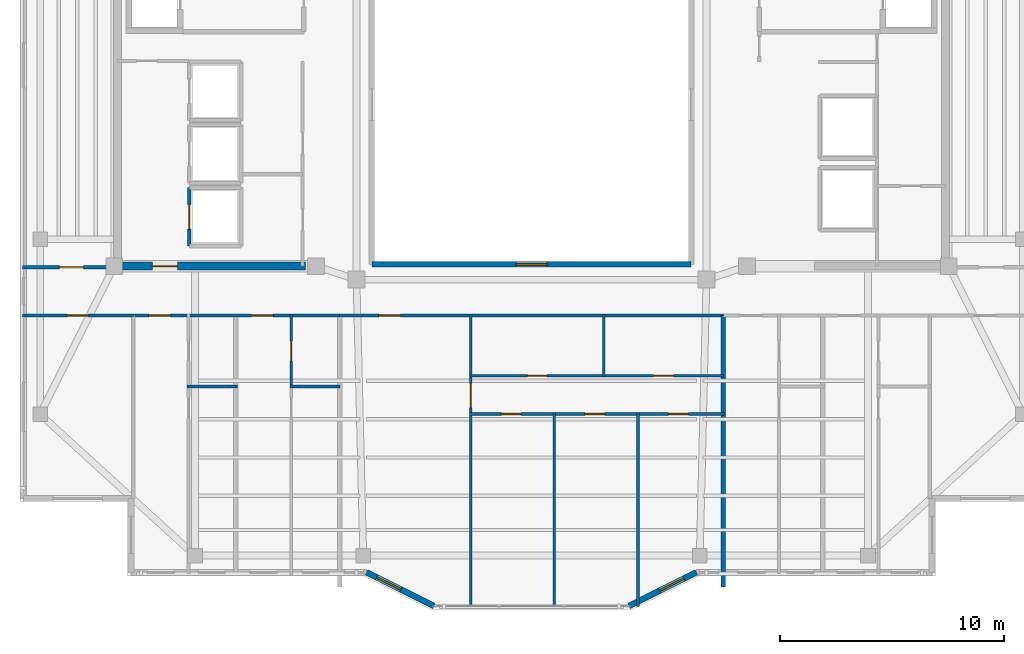
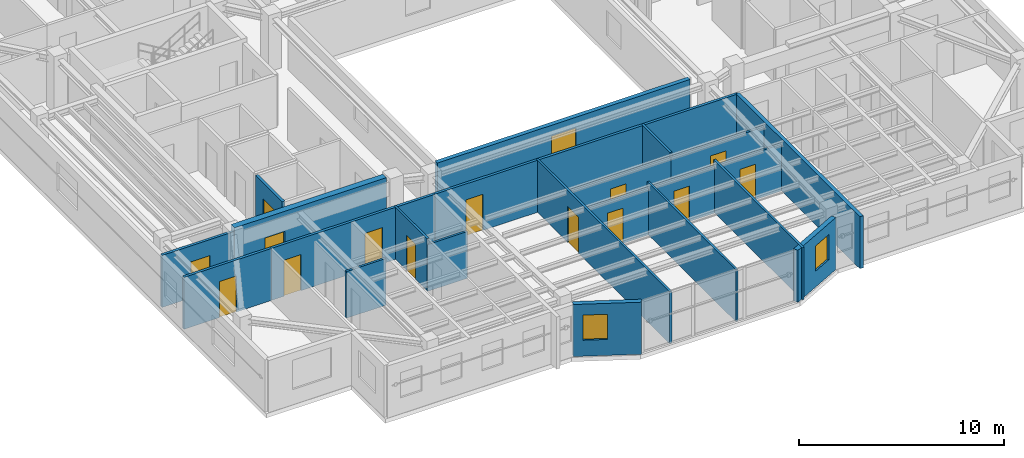
# One storey, part 6 of 14: 20 walls, 14 doors, 3 windows, 17 openings.
"""IFC4 building model written with IfcOpenShell, lengths in metres."""

import ifcopenshell
import ifcopenshell.guid

model = None  # the IFC model being written
_history = None  # IfcOwnerHistory: only IFC2X3 demands one
_inside = {}  # id of a spatial element -> (the spatial element, [elements in it])
_under = {}  # id of a project, library or spatial element -> (it, [spatial elements below it])
_declared = {}  # id of a project -> (the project, [libraries it declares])
_typed = {}  # id of a type object -> (the type object, [elements of that type])
_made_of = {}  # id of a material, layer set ... -> (it, [elements and type objects made of it])


def new_model(schema):
    """Start an empty IFC model of exactly this schema.

    Asked for "IFC4X3", IfcOpenShell would pick the latest addendum, in which some entities
    have other attributes; the version numbers below select the first issue.
    IFC2X3 requires an IfcOwnerHistory on every rooted entity: one is made here for all.
    """
    global model, _history
    if schema == "IFC4X3":
        model = ifcopenshell.file(schema_version=(4, 3, 0, 0))
    else:
        model = ifcopenshell.file(schema=schema)
    _inside.clear()
    _under.clear()
    _declared.clear()
    _typed.clear()
    _made_of.clear()
    _history = None
    if model.schema == "IFC2X3":
        org = make("IfcOrganization", Name="unknown")
        user = make(
            "IfcPersonAndOrganization",
            ThePerson=make("IfcPerson", FamilyName="unknown"),
            TheOrganization=org,
        )
        app = make(
            "IfcApplication",
            ApplicationDeveloper=org,
            Version="unknown",
            ApplicationFullName="unknown",
            ApplicationIdentifier="unknown",
        )
        _history = make(
            "IfcOwnerHistory",
            OwningUser=user,
            OwningApplication=app,
            ChangeAction="ADDED",
            CreationDate=0,
        )
    return model


def make(cls, **values):
    """One entity of the class cls with the attributes given. An attribute that is None is left unset."""
    return model.create_entity(
        cls, **{name: value for name, value in values.items() if value is not None}
    )


def rooted(cls, **values):
    """An entity with a GlobalId (a new one), such as an element, a storey or a relation."""
    return make(cls, GlobalId=ifcopenshell.guid.new(), OwnerHistory=_history, **values)


def si_unit(unit_type, name, prefix=None):
    """IfcSIUnit, for example si_unit("LENGTHUNIT", "METRE", prefix="MILLI")."""
    return make("IfcSIUnit", UnitType=unit_type, Prefix=prefix, Name=name)


def assignment(units):
    """IfcUnitAssignment: the units of a project."""
    return None if units is None else make("IfcUnitAssignment", Units=units)


def point(xyz):
    """IfcCartesianPoint."""
    return None if xyz is None else make("IfcCartesianPoint", Coordinates=xyz)


def direction(xyz):
    """IfcDirection."""
    return None if xyz is None else make("IfcDirection", DirectionRatios=xyz)


def frame(location, z_axis=None, x_axis=None):
    """IfcAxis2Placement3D, a coordinate frame: its origin and axes. An axis left out is left unset."""
    return make(
        "IfcAxis2Placement3D",
        Location=point(location),
        Axis=direction(z_axis),
        RefDirection=direction(x_axis),
    )


def frame_2d(location, x_axis=None):
    """IfcAxis2Placement2D, a coordinate frame in the plane: its origin and x axis."""
    return make(
        "IfcAxis2Placement2D", Location=point(location), RefDirection=direction(x_axis)
    )


def origin():
    """The frame at (0, 0, 0) with its axes left unset."""
    return frame((0.0, 0.0, 0.0))


def place(relative_to, where):
    """IfcLocalPlacement: puts the frame where relative to a parent placement (None: the world)."""
    return make(
        "IfcLocalPlacement", PlacementRelTo=relative_to, RelativePlacement=where
    )


def context(
    kind, dimensions, precision=None, world=None, true_north=None, identifier=None
):
    """IfcGeometricRepresentationContext, for example the 3D "Model" context."""
    return make(
        "IfcGeometricRepresentationContext",
        ContextIdentifier=identifier,
        ContextType=kind,
        CoordinateSpaceDimension=dimensions,
        Precision=precision,
        WorldCoordinateSystem=world,
        TrueNorth=true_north,
    )


def subcontext(parent, identifier, kind, view, scale=None):
    """IfcGeometricRepresentationSubContext, for example "Body" below "Model"."""
    return make(
        "IfcGeometricRepresentationSubContext",
        ContextIdentifier=identifier,
        ContextType=kind,
        ParentContext=parent,
        TargetScale=scale,
        TargetView=view,
    )


def project(units=None, contexts=None):
    """IfcProject with its units and contexts."""
    return rooted(
        "IfcProject",
        Name="project",
        RepresentationContexts=contexts,
        UnitsInContext=assignment(units),
    )


def spatial(cls, under=None, at=None, **own):
    """A site, building, storey or space (cls), placed at a placement, below another one or the project."""
    s = rooted(cls, ObjectPlacement=at, **own)
    if under is not None:
        _under.setdefault(under.id(), (under, []))[1].append(s)
    return s


def profile(cls, at=None, kind="AREA", **sizes):
    """A parametric profile (cls). Its sizes go by their IFC names, for example OverallWidth=200.0."""
    return make(cls, ProfileType=kind, Position=at, **sizes)


def rectangle(**sizes):
    """IfcRectangleProfileDef."""
    return profile("IfcRectangleProfileDef", **sizes)


def extrude(swept, where, along, depth):
    """IfcExtrudedAreaSolid: the profile swept, set in the frame where, extruded along a direction by depth."""
    return make(
        "IfcExtrudedAreaSolid",
        SweptArea=swept,
        Position=where,
        ExtrudedDirection=direction(along),
        Depth=depth,
    )


def shape(context_of_items, identifier, shape_type, items):
    """IfcShapeRepresentation: the items that make up one representation, for example the "Body"."""
    return make(
        "IfcShapeRepresentation",
        ContextOfItems=context_of_items,
        RepresentationIdentifier=identifier,
        RepresentationType=shape_type,
        Items=items,
    )


def material(Name=None, Category=None):
    """IfcMaterial."""
    return make("IfcMaterial", Name=Name, Category=Category)


def layer(
    of_material, thickness, ventilated=None, Name=None, Category=None, Priority=None
):
    """IfcMaterialLayer: one layer of a wall or slab, of a material (None: an air gap)."""
    return make(
        "IfcMaterialLayer",
        Material=of_material,
        LayerThickness=thickness,
        IsVentilated=ventilated,
        Name=Name,
        Category=Category,
        Priority=Priority,
    )


def layer_set(layers, Name=None):
    """IfcMaterialLayerSet."""
    return make("IfcMaterialLayerSet", MaterialLayers=layers, LayerSetName=Name)


def made_of(thing, what):
    """Note that an element or type object is made of a material, layer set ...; save() writes the relation."""
    if what is not None:
        _made_of.setdefault(what.id(), (what, []))[1].append(thing)
    return thing


def type_object(cls, material=None, **own):
    """A type object (cls), such as IfcWallType, which elements share."""
    return made_of(rooted(cls, **own), material)


def element(
    cls,
    number,
    at=None,
    inside=None,
    cuts=None,
    type_object=None,
    material=None,
    context=None,
    identifier="Body",
    shape_type=None,
    held_by="IfcProductDefinitionShape",
    body=None,
    shapes=None,
    **own,
):
    """One element of the class cls, such as IfcWall. Its Tag is "e" and its number.

    at: its placement. inside: the storey or other place that contains it. cuts: it is an
    opening in that element (IfcRelVoidsElement). A single representation is given by context,
    identifier, shape_type and body (its items); several are given by shapes. held_by: the class
    of the entity that holds the representations. save() writes the other relations.
    """
    e = rooted(cls, Tag="e%d" % number, ObjectPlacement=at, **own)
    if body is not None:
        shapes = [shape(context, identifier, shape_type, body)]
    if shapes is not None:
        e.Representation = make(held_by, Representations=shapes)
    if inside is not None:
        _inside.setdefault(inside.id(), (inside, []))[1].append(e)
    if cuts is not None:
        rooted(
            "IfcRelVoidsElement", RelatingBuildingElement=cuts, RelatedOpeningElement=e
        )
    if type_object is not None:
        _typed.setdefault(type_object.id(), (type_object, []))[1].append(e)
    return made_of(e, material)


def fill(opening, filler):
    """IfcRelFillsElement: the door or window that sits in an opening."""
    return rooted(
        "IfcRelFillsElement",
        RelatingOpeningElement=opening,
        RelatedBuildingElement=filler,
    )


def aggregate(whole, parts):
    """IfcRelAggregates: a whole, such as a stair, and the parts it consists of."""
    return rooted("IfcRelAggregates", RelatingObject=whole, RelatedObjects=parts)


def save(model, path):
    """Write the relations noted so far, then the file.

    IfcRelAggregates (storeys below a building ...), IfcRelContainedInSpatialStructure (elements
    in a storey), IfcRelDefinesByType, IfcRelAssociatesMaterial and IfcRelDeclares: one each for
    every whole, place, type object, material and project.
    """
    for whole, parts in _under.values():
        aggregate(whole, parts)
    for where, things in _inside.values():
        rooted(
            "IfcRelContainedInSpatialStructure",
            RelatedElements=things,
            RelatingStructure=where,
        )
    for kind, things in _typed.values():
        rooted("IfcRelDefinesByType", RelatedObjects=things, RelatingType=kind)
    for what, things in _made_of.values():
        rooted("IfcRelAssociatesMaterial", RelatedObjects=things, RelatingMaterial=what)
    for by, libraries in _declared.values():
        rooted("IfcRelDeclares", RelatingContext=by, RelatedDefinitions=libraries)
    model.write(path)


model = new_model("IFC4")

# Units and contexts
model_context = context("Model", 3, precision=1e-05, world=origin(), true_north=direction((0.0, 1.0)))
body_context = subcontext(model_context, "Body", "Model", "MODEL_VIEW")
ifc_project = project(units=[si_unit("LENGTHUNIT", "METRE"), si_unit("AREAUNIT", "SQUARE_METRE"), si_unit("VOLUMEUNIT", "CUBIC_METRE"), si_unit("PLANEANGLEUNIT", "RADIAN"), si_unit("MASSUNIT", "GRAM", prefix="KILO")], contexts=[model_context])

# Site, building, storey
site_placement = place(None, origin())
site = spatial("IfcSite", under=ifc_project, at=site_placement, CompositionType="ELEMENT")
building_placement = place(site_placement, origin())
building = spatial("IfcBuilding", under=site, at=building_placement, Name="Tarnavaz Court Tower", CompositionType="ELEMENT")
storey_placement = place(building_placement, frame((0.0, 0.0, 264.949951171875)))
storey = spatial("IfcBuildingStorey", under=building, at=storey_placement, Name="L72", CompositionType="ELEMENT", Elevation=264.949951171875)

# Wall, opening, door
ifc_material_1 = material(Name="Concrete C50/60", Category="concrete")
ifc_layer_1 = layer(ifc_material_1, 0.35009765625)
ifc_layer_set_1 = layer_set([ifc_layer_1], Name="Concrete C50/60")
wall_type_1 = type_object("IfcWallType", Name="WL-CORE-350-C50", PredefinedType="SHEAR", material=ifc_layer_set_1)
wall_1_placement = place(storey_placement, frame((-18.625, -7.199951171875, 0.0), z_axis=(0.0, 0.0, 1.0), x_axis=(1.0, 0.0, 0.0)))
wall_1 = element("IfcWall", 1, at=wall_1_placement, inside=storey, type_object=wall_type_1, Name="L72 West Core South Shear Wall 046", PredefinedType="SHEAR", context=body_context, shape_type="SweptSolid", body=[
    extrude(rectangle(XDim=8.550048828125, YDim=0.35009765625, at=frame_2d((4.27490234375, 0.0))), origin(), (0.0, 0.0, 1.0), 3.35009765625),
])
opening_1_placement = place(wall_1_placement, frame((1.72509765625, 0.0, 0.0)))
opening_1 = element("IfcOpeningElement", 2, at=opening_1_placement, cuts=wall_1, Name="Opening D04", PredefinedType="OPENING", context=body_context, shape_type="SweptSolid", body=[
    extrude(rectangle(XDim=1.1201171875, YDim=2.14990234375, at=frame_2d((0.56005859375, 1.074951171875))), frame((0.0, 0.18505859375, 0.0), z_axis=(0.0, -1.0, 0.0), x_axis=(1.0, 0.0, 0.0)), (0.0, 0.0, 1.0), 0.3701171875),
])
ifc_material_2 = material(Name="Fire-Rated Hardwood Timber Core", Category="wood")
door_type_1 = type_object("IfcDoorType", Name="DR-FD60-1100", OperationType="NOTDEFINED", PredefinedType="DOOR", material=ifc_material_2)
door_1_placement = place(opening_1_placement, origin())
door_1 = element("IfcDoor", 3, at=door_1_placement, inside=storey, type_object=door_type_1, Name="L72 West High-Rise Lift Lobby Door", OperationType="SINGLE_SWING_LEFT", OverallHeight=2.14990234375, OverallWidth=1.1201171875, PredefinedType="DOOR", context=body_context, shape_type="SweptSolid", body=[
    extrude(rectangle(XDim=1.1201171875, YDim=2.14990234375, at=frame_2d((0.56005859375, 1.074951171875))), frame((0.0, 0.02490234375, 0.0), z_axis=(0.0, -1.0, 0.0), x_axis=(1.0, 0.0, 0.0)), (0.0, 0.0, 1.0), 0.050048828125),
])
fill(opening_1, door_1)

# Wall, opening, window
ifc_material_3 = material(Name="Precast Concrete C40/50", Category="concrete")
ifc_layer_2 = layer(ifc_material_3, 0.260009765625)
ifc_layer_set_2 = layer_set([ifc_layer_2], Name="Precast Concrete C40/50")
wall_type_2 = type_object("IfcWallType", Name="WL-EXT-260", PredefinedType="SOLIDWALL", material=ifc_layer_set_2)
wall_2_placement = place(storey_placement, frame((7.35009765625, -20.85009765625, 0.0), z_axis=(0.0, 0.0, 1.0), x_axis=(-0.894427191, -0.4472135955, 0.0)))
wall_2 = element("IfcWall", 4, at=wall_2_placement, inside=storey, type_object=wall_type_2, Name="L72 Exterior Terracotta Facade Wall 16", PredefinedType="SOLIDWALL", context=body_context, shape_type="SweptSolid", body=[
    extrude(rectangle(XDim=3.35400390625, YDim=0.260009765625, at=frame_2d((1.677001953125, 0.0))), origin(), (0.0, 0.0, 1.0), 3.10009765625),
])
opening_2_placement = place(wall_2_placement, frame((0.62158203125, 0.0, 0.949951171875)))
opening_2 = element("IfcOpeningElement", 5, at=opening_2_placement, cuts=wall_2, Name="Opening W05", PredefinedType="OPENING", context=body_context, shape_type="SweptSolid", body=[
    extrude(rectangle(XDim=1.199951171875, YDim=1.5, at=frame_2d((0.60009765625, 0.75))), frame((0.0, 0.139892578125, 0.0), z_axis=(0.0, -1.0, 0.0), x_axis=(1.0, 0.0, 0.0)), (0.0, 0.0, 1.0), 0.280029296875),
])
ifc_material_4 = material(Name="Double-Glazed Solar Low-E Glass", Category="glass")
window_type_1 = type_object("IfcWindowType", Name="WN-APT-1200", PartitioningType="SINGLE_PANEL", PredefinedType="WINDOW", material=ifc_material_4)
window_1_placement = place(opening_2_placement, origin())
window_1 = element("IfcWindow", 6, at=window_1_placement, inside=storey, type_object=window_type_1, Name="L72 Flat 10 Bedroom 3 Window", OverallHeight=1.5, OverallWidth=1.199951171875, PartitioningType="SINGLE_PANEL", PredefinedType="WINDOW", context=body_context, shape_type="SweptSolid", body=[
    extrude(rectangle(XDim=1.199951171875, YDim=1.5, at=frame_2d((0.60009765625, 0.75))), frame((0.0, 0.030029296875, 0.0), z_axis=(0.0, -1.0, 0.0), x_axis=(1.0, 0.0, 0.0)), (0.0, 0.0, 1.0), 0.06005859375),
])
fill(opening_2, window_1)

wall_3_placement = place(storey_placement, frame((-4.35009765625, -22.35009765625, 0.0), z_axis=(0.0, 0.0, 1.0), x_axis=(-0.894427191, 0.4472135955, 0.0)))
wall_3 = element("IfcWall", 7, at=wall_3_placement, inside=storey, type_object=wall_type_2, Name="L72 Exterior Terracotta Facade Wall 18", PredefinedType="SOLIDWALL", context=body_context, shape_type="SweptSolid", body=[
    extrude(rectangle(XDim=3.35400390625, YDim=0.260009765625, at=frame_2d((1.677001953125, 0.0))), origin(), (0.0, 0.0, 1.0), 3.10009765625),
])
opening_3_placement = place(wall_3_placement, frame((1.65283203125, 0.0, 0.949951171875)))
opening_3 = element("IfcOpeningElement", 8, at=opening_3_placement, cuts=wall_3, Name="Opening W05", PredefinedType="OPENING", context=body_context, shape_type="SweptSolid", body=[
    extrude(rectangle(XDim=1.199951171875, YDim=1.5, at=frame_2d((0.60009765625, 0.75))), frame((0.0, 0.139892578125, 0.0), z_axis=(0.0, -1.0, 0.0), x_axis=(1.0, 0.0, 0.0)), (0.0, 0.0, 1.0), 0.280029296875),
])
window_2_placement = place(opening_3_placement, origin())
window_2 = element("IfcWindow", 9, at=window_2_placement, inside=storey, type_object=window_type_1, Name="L72 Flat 10 Living and Dining Room Window", OverallHeight=1.5, OverallWidth=1.199951171875, PartitioningType="SINGLE_PANEL", PredefinedType="WINDOW", context=body_context, shape_type="SweptSolid", body=[
    extrude(rectangle(XDim=1.199951171875, YDim=1.5, at=frame_2d((0.60009765625, 0.75))), frame((0.0, 0.030029296875, 0.0), z_axis=(0.0, -1.0, 0.0), x_axis=(1.0, 0.0, 0.0)), (0.0, 0.0, 1.0), 0.06005859375),
])
fill(opening_3, window_2)

# Wall, openings, doors
ifc_material_5 = material(Name="Gypsum Fire-Board on Acoustic Metal Stud", Category="masonry")
ifc_layer_3 = layer(ifc_material_5, 0.14990234375)
ifc_layer_set_3 = layer_set([ifc_layer_3], Name="Gypsum Fire-Board on Acoustic Metal Stud")
wall_type_3 = type_object("IfcWallType", Name="WL-FIRE-150", PredefinedType="PARTITIONING", material=ifc_layer_set_3)
wall_4_placement = place(storey_placement, frame((-17.75, -9.39990234375, 0.0), z_axis=(0.0, 0.0, 1.0), x_axis=(1.0, 0.0, 0.0)))
wall_4 = element("IfcWall", 10, at=wall_4_placement, inside=storey, type_object=wall_type_3, Name="L72 SW Lobby Wall 058", PredefinedType="PARTITIONING", context=body_context, shape_type="SweptSolid", body=[
    extrude(rectangle(XDim=9.199951171875, YDim=0.14990234375, at=frame_2d((4.60009765625, 0.0))), origin(), (0.0, 0.0, 1.0), 3.10009765625),
])
opening_4_placement = place(wall_4_placement, frame((0.699951171875, 0.0, 0.0)))
opening_4 = element("IfcOpeningElement", 11, at=opening_4_placement, cuts=wall_4, Name="Opening D06", PredefinedType="OPENING", context=body_context, shape_type="SweptSolid", body=[
    extrude(rectangle(XDim=0.9599609375, YDim=2.14990234375, at=frame_2d((0.47998046875, 1.074951171875))), frame((0.0, 0.0849609375, 0.0), z_axis=(0.0, -1.0, 0.0), x_axis=(1.0, 0.0, 0.0)), (0.0, 0.0, 1.0), 0.169921875),
])
opening_5_placement = place(wall_4_placement, frame((5.27490234375, 0.0, 0.0)))
opening_5 = element("IfcOpeningElement", 12, at=opening_5_placement, cuts=wall_4, Name="Opening D06", PredefinedType="OPENING", context=body_context, shape_type="SweptSolid", body=[
    extrude(rectangle(XDim=0.9599609375, YDim=2.14990234375, at=frame_2d((0.47998046875, 1.074951171875))), frame((0.0, 0.0849609375, 0.0), z_axis=(0.0, -1.0, 0.0), x_axis=(1.0, 0.0, 0.0)), (0.0, 0.0, 1.0), 0.169921875),
])
door_type_2 = type_object("IfcDoorType", Name="DR-FD60-950", OperationType="NOTDEFINED", PredefinedType="DOOR", material=ifc_material_2)
door_2_placement = place(opening_4_placement, origin())
door_2 = element("IfcDoor", 13, at=door_2_placement, inside=storey, type_object=door_type_2, Name="L72 Flat 06 Entrance Door", OperationType="SINGLE_SWING_LEFT", OverallHeight=2.14990234375, OverallWidth=0.9599609375, PredefinedType="DOOR", context=body_context, shape_type="SweptSolid", body=[
    extrude(rectangle(XDim=0.9599609375, YDim=2.14990234375, at=frame_2d((0.47998046875, 1.074951171875))), frame((0.0, 0.02490234375, 0.0), z_axis=(0.0, -1.0, 0.0), x_axis=(1.0, 0.0, 0.0)), (0.0, 0.0, 1.0), 0.050048828125),
])
fill(opening_4, door_2)
door_3_placement = place(opening_5_placement, origin())
door_3 = element("IfcDoor", 14, at=door_3_placement, inside=storey, type_object=door_type_2, Name="L72 Flat 07 Entrance Door", OperationType="SINGLE_SWING_RIGHT", OverallHeight=2.14990234375, OverallWidth=0.9599609375, PredefinedType="DOOR", context=body_context, shape_type="SweptSolid", body=[
    extrude(rectangle(XDim=0.9599609375, YDim=2.14990234375, at=frame_2d((0.47998046875, 1.074951171875))), frame((0.0, 0.02490234375, 0.0), z_axis=(0.0, -1.0, 0.0), x_axis=(1.0, 0.0, 0.0)), (0.0, 0.0, 1.0), 0.050048828125),
])
fill(opening_5, door_3)

# Wall, opening, door
wall_5_placement = place(storey_placement, frame((-8.550048828125, -9.39990234375, 0.0), z_axis=(0.0, 0.0, 1.0), x_axis=(1.0, 0.0, 0.0)))
wall_5 = element("IfcWall", 15, at=wall_5_placement, inside=storey, type_object=wall_type_3, Name="L72 Interior Partition 101", PredefinedType="PARTITIONING", context=body_context, shape_type="SweptSolid", body=[
    extrude(rectangle(XDim=17.10009765625, YDim=0.14990234375, at=frame_2d((8.550048828125, 0.0))), origin(), (0.0, 0.0, 1.0), 3.10009765625),
])
opening_6_placement = place(wall_5_placement, frame((1.75, 0.0, 0.0)))
opening_6 = element("IfcOpeningElement", 16, at=opening_6_placement, cuts=wall_5, Name="Opening D06", PredefinedType="OPENING", context=body_context, shape_type="SweptSolid", body=[
    extrude(rectangle(XDim=0.9599609375, YDim=2.14990234375, at=frame_2d((0.47998046875, 1.074951171875))), frame((0.0, 0.0849609375, 0.0), z_axis=(0.0, -1.0, 0.0), x_axis=(1.0, 0.0, 0.0)), (0.0, 0.0, 1.0), 0.169921875),
])
door_4_placement = place(opening_6_placement, origin())
door_4 = element("IfcDoor", 17, at=door_4_placement, inside=storey, type_object=door_type_2, Name="L72 Flat 10 Entrance Door", OperationType="SINGLE_SWING_LEFT", OverallHeight=2.14990234375, OverallWidth=0.9599609375, PredefinedType="DOOR", context=body_context, shape_type="SweptSolid", body=[
    extrude(rectangle(XDim=0.9599609375, YDim=2.14990234375, at=frame_2d((0.47998046875, 1.074951171875))), frame((0.0, 0.02490234375, 0.0), z_axis=(0.0, -1.0, 0.0), x_axis=(1.0, 0.0, 0.0)), (0.0, 0.0, 1.0), 0.050048828125),
])
fill(opening_6, door_4)

wall_6_placement = place(storey_placement, frame((-22.679931640625, -7.25, 0.0), z_axis=(0.0, 0.0, 1.0), x_axis=(1.0, 0.0, 0.0)))
wall_6 = element("IfcWall", 18, at=wall_6_placement, inside=storey, type_object=wall_type_3, Name="L72 Interior Partition 109", PredefinedType="PARTITIONING", context=body_context, shape_type="SweptSolid", body=[
    extrude(rectangle(XDim=4.22998046875, YDim=0.14990234375, at=frame_2d((2.114990234375, 0.0))), origin(), (0.0, 0.0, 1.0), 3.10009765625),
])
opening_7_placement = place(wall_6_placement, frame((1.6298828125, 0.0, 0.0)))
opening_7 = element("IfcOpeningElement", 19, at=opening_7_placement, cuts=wall_6, Name="Opening D12", PredefinedType="OPENING", context=body_context, shape_type="SweptSolid", body=[
    extrude(rectangle(XDim=1.080078125, YDim=2.14990234375, at=frame_2d((0.5400390625, 1.074951171875))), frame((0.0, 0.0849609375, 0.0), z_axis=(0.0, -1.0, 0.0), x_axis=(1.0, 0.0, 0.0)), (0.0, 0.0, 1.0), 0.169921875),
])
ifc_material_6 = material(Name="Engineered Oak Timber", Category="wood")
door_type_3 = type_object("IfcDoorType", Name="DR-INT-1100", OperationType="NOTDEFINED", PredefinedType="DOOR", material=ifc_material_6)
door_5_placement = place(opening_7_placement, origin())
door_5 = element("IfcDoor", 20, at=door_5_placement, inside=storey, type_object=door_type_3, Name="L72 West Study Gallery Door", OperationType="SINGLE_SWING_RIGHT", OverallHeight=2.14990234375, OverallWidth=1.080078125, PredefinedType="DOOR", context=body_context, shape_type="SweptSolid", body=[
    extrude(rectangle(XDim=1.080078125, YDim=2.14990234375, at=frame_2d((0.5400390625, 1.074951171875))), frame((0.0, 0.02490234375, 0.0), z_axis=(0.0, -1.0, 0.0), x_axis=(1.0, 0.0, 0.0)), (0.0, 0.0, 1.0), 0.050048828125),
])
fill(opening_7, door_5)

wall_7_placement = place(storey_placement, frame((-22.679931640625, -9.39990234375, 0.0), z_axis=(0.0, 0.0, 1.0), x_axis=(1.0, 0.0, 0.0)))
wall_7 = element("IfcWall", 21, at=wall_7_placement, inside=storey, type_object=wall_type_3, Name="L72 Interior Partition 119", PredefinedType="PARTITIONING", context=body_context, shape_type="SweptSolid", body=[
    extrude(rectangle(XDim=4.929931640625, YDim=0.14990234375, at=frame_2d((2.46484375, 0.0))), origin(), (0.0, 0.0, 1.0), 3.10009765625),
])
opening_8_placement = place(wall_7_placement, frame((1.989990234375, 0.0, 0.0)))
opening_8 = element("IfcOpeningElement", 22, at=opening_8_placement, cuts=wall_7, Name="Opening D13", PredefinedType="OPENING", context=body_context, shape_type="SweptSolid", body=[
    extrude(rectangle(XDim=0.949951171875, YDim=2.14990234375, at=frame_2d((0.47509765625, 1.074951171875))), frame((0.0, 0.0849609375, 0.0), z_axis=(0.0, -1.0, 0.0), x_axis=(1.0, 0.0, 0.0)), (0.0, 0.0, 1.0), 0.169921875),
])
door_type_4 = type_object("IfcDoorType", Name="DR-INT-950", OperationType="NOTDEFINED", PredefinedType="DOOR", material=ifc_material_6)
door_6_placement = place(opening_8_placement, origin())
door_6 = element("IfcDoor", 23, at=door_6_placement, inside=storey, type_object=door_type_4, Name="L72 SW Reading Room Door", OperationType="SINGLE_SWING_RIGHT", OverallHeight=2.14990234375, OverallWidth=0.949951171875, PredefinedType="DOOR", context=body_context, shape_type="SweptSolid", body=[
    extrude(rectangle(XDim=0.949951171875, YDim=2.14990234375, at=frame_2d((0.47509765625, 1.074951171875))), frame((0.0, 0.02490234375, 0.0), z_axis=(0.0, -1.0, 0.0), x_axis=(1.0, 0.0, 0.0)), (0.0, 0.0, 1.0), 0.050048828125),
])
fill(opening_8, door_6)

# Walls
ifc_material_7 = material(Name="Autoclaved Aerated Concrete Blockwork", Category="masonry")
ifc_layer_4 = layer(ifc_material_7, 0.199951171875)
ifc_layer_set_4 = layer_set([ifc_layer_4], Name="Autoclaved Aerated Concrete Blockwork")
wall_type_4 = type_object("IfcWallType", Name="WL-FIRE-200", PredefinedType="SOLIDWALL", material=ifc_layer_set_4)
wall_8_placement = place(storey_placement, frame((8.550048828125, -21.50390625, 0.0), z_axis=(0.0, 0.0, 1.0), x_axis=(0.0, 1.0, 0.0)))
element("IfcWall", 24, at=wall_8_placement, inside=storey, type_object=wall_type_4, Name="L72 Party Wall 100", PredefinedType="SOLIDWALL", context=body_context, shape_type="SweptSolid", body=[
    extrude(rectangle(XDim=12.10400390625, YDim=0.199951171875, at=frame_2d((6.052001953125, 0.0))), origin(), (0.0, 0.0, 1.0), 3.10009765625),
])
ifc_material_8 = material(Name="Moisture-Resistant Gypsum Board Partition", Category="masonry")
ifc_layer_5 = layer(ifc_material_8, 0.1201171875)
ifc_layer_set_5 = layer_set([ifc_layer_5], Name="Moisture-Resistant Gypsum Board Partition")
wall_type_5 = type_object("IfcWallType", Name="WL-PART-120", PredefinedType="PARTITIONING", material=ifc_layer_set_5)
wall_9_placement = place(storey_placement, frame((-15.35009765625, -12.56005859375, 0.0), z_axis=(0.0, 0.0, 1.0), x_axis=(1.0, 0.0, 0.0)))
element("IfcWall", 25, at=wall_9_placement, inside=storey, type_object=wall_type_5, Name="L72 Interior Partition 088", PredefinedType="PARTITIONING", context=body_context, shape_type="SweptSolid", body=[
    extrude(rectangle(XDim=2.235107421875, YDim=0.1201171875, at=frame_2d((1.11767578125, 0.0))), origin(), (0.0, 0.0, 1.0), 2.78515625),
])

# Wall, opening, door
wall_10_placement = place(storey_placement, frame((-10.715087890625, -12.56005859375, 0.0), z_axis=(0.0, 0.0, 1.0), x_axis=(0.0, 1.0, 0.0)))
wall_10 = element("IfcWall", 26, at=wall_10_placement, inside=storey, type_object=wall_type_5, Name="L72 Interior Partition 090", PredefinedType="PARTITIONING", context=body_context, shape_type="SweptSolid", body=[
    extrude(rectangle(XDim=3.219970703125, YDim=0.1201171875, at=frame_2d((1.60986328125, 0.0))), origin(), (0.0, 0.0, 1.0), 3.10009765625),
])
opening_9_placement = place(wall_10_placement, frame((1.139892578125, 0.0, 0.0)))
opening_9 = element("IfcOpeningElement", 27, at=opening_9_placement, cuts=wall_10, Name="Opening D14", PredefinedType="OPENING", context=body_context, shape_type="SweptSolid", body=[
    extrude(rectangle(XDim=0.8798828125, YDim=2.10009765625, at=frame_2d((0.43994140625, 1.050048828125))), frame((0.0, 0.070068359375, 0.0), z_axis=(0.0, -1.0, 0.0), x_axis=(1.0, 0.0, 0.0)), (0.0, 0.0, 1.0), 0.14013671875),
])
door_type_5 = type_object("IfcDoorType", Name="DR-INT-900", OperationType="NOTDEFINED", PredefinedType="DOOR", material=ifc_material_6)
door_7_placement = place(opening_9_placement, origin())
door_7 = element("IfcDoor", 28, at=door_7_placement, inside=storey, type_object=door_type_5, Name="L72 Flat 07 Bathroom Door", OperationType="SINGLE_SWING_RIGHT", OverallHeight=2.10009765625, OverallWidth=0.8798828125, PredefinedType="DOOR", context=body_context, shape_type="SweptSolid", body=[
    extrude(rectangle(XDim=0.8798828125, YDim=2.10009765625, at=frame_2d((0.43994140625, 1.050048828125))), frame((0.0, 0.02490234375, 0.0), z_axis=(0.0, -1.0, 0.0), x_axis=(1.0, 0.0, 0.0)), (0.0, 0.0, 1.0), 0.050048828125),
])
fill(opening_9, door_7)

# Wall
wall_11_placement = place(storey_placement, frame((-10.77490234375, -12.56005859375, 0.0), z_axis=(0.0, 0.0, 1.0), x_axis=(1.0, 0.0, 0.0)))
element("IfcWall", 29, at=wall_11_placement, inside=storey, type_object=wall_type_5, Name="L72 Interior Partition 091", PredefinedType="PARTITIONING", context=body_context, shape_type="SweptSolid", body=[
    extrude(rectangle(XDim=2.23486328125, YDim=0.1201171875, at=frame_2d((1.117431640625, 0.0))), origin(), (0.0, 0.0, 1.0), 2.78515625),
])

# Wall, opening, door
wall_12_placement = place(storey_placement, frame((-2.714111328125, -22.3798828125, 0.0), z_axis=(0.0, 0.0, 1.0), x_axis=(0.0, 1.0, 0.0)))
wall_12 = element("IfcWall", 30, at=wall_12_placement, inside=storey, type_object=wall_type_5, Name="L72 Interior Partition 102", PredefinedType="PARTITIONING", context=body_context, shape_type="SweptSolid", body=[
    extrude(rectangle(XDim=13.039794921875, YDim=0.1201171875, at=frame_2d((6.52001953125, 0.0))), origin(), (0.0, 0.0, 1.0), 3.10009765625),
])
opening_10_placement = place(wall_12_placement, frame((8.875, 0.0, 0.0)))
opening_10 = element("IfcOpeningElement", 31, at=opening_10_placement, cuts=wall_12, Name="Opening D12", PredefinedType="OPENING", context=body_context, shape_type="SweptSolid", body=[
    extrude(rectangle(XDim=1.080078125, YDim=2.14990234375, at=frame_2d((0.5400390625, 1.074951171875))), frame((0.0, 0.070068359375, 0.0), z_axis=(0.0, -1.0, 0.0), x_axis=(1.0, 0.0, 0.0)), (0.0, 0.0, 1.0), 0.14013671875),
])
door_8_placement = place(opening_10_placement, origin())
door_8 = element("IfcDoor", 32, at=door_8_placement, inside=storey, type_object=door_type_3, Name="L72 Flat 10 Foyer Door", OperationType="SINGLE_SWING_RIGHT", OverallHeight=2.14990234375, OverallWidth=1.080078125, PredefinedType="DOOR", context=body_context, shape_type="SweptSolid", body=[
    extrude(rectangle(XDim=1.080078125, YDim=2.14990234375, at=frame_2d((0.5400390625, 1.074951171875))), frame((0.0, 0.02490234375, 0.0), z_axis=(0.0, -1.0, 0.0), x_axis=(1.0, 0.0, 0.0)), (0.0, 0.0, 1.0), 0.050048828125),
])
fill(opening_10, door_8)

wall_13_placement = place(storey_placement, frame((-2.714111328125, -12.080078125, 0.0), z_axis=(0.0, 0.0, 1.0), x_axis=(1.0, 0.0, 0.0)))
wall_13 = element("IfcWall", 33, at=wall_13_placement, inside=storey, type_object=wall_type_5, Name="L72 Interior Partition 103", PredefinedType="PARTITIONING", context=body_context, shape_type="SweptSolid", body=[
    extrude(rectangle(XDim=5.93310546875, YDim=0.1201171875, at=frame_2d((2.966552734375, 0.0))), origin(), (0.0, 0.0, 1.0), 2.78515625),
])
opening_11_placement = place(wall_13_placement, frame((2.52587890625, 0.0, 0.0)))
opening_11 = element("IfcOpeningElement", 34, at=opening_11_placement, cuts=wall_13, Name="Opening D14", PredefinedType="OPENING", context=body_context, shape_type="SweptSolid", body=[
    extrude(rectangle(XDim=0.8798828125, YDim=2.10009765625, at=frame_2d((0.43994140625, 1.050048828125))), frame((0.0, 0.070068359375, 0.0), z_axis=(0.0, -1.0, 0.0), x_axis=(1.0, 0.0, 0.0)), (0.0, 0.0, 1.0), 0.14013671875),
])
door_9_placement = place(opening_11_placement, origin())
door_9 = element("IfcDoor", 35, at=door_9_placement, inside=storey, type_object=door_type_5, Name="L72 Flat 10 Kitchen Door", OperationType="SINGLE_SWING_LEFT", OverallHeight=2.10009765625, OverallWidth=0.8798828125, PredefinedType="DOOR", context=body_context, shape_type="SweptSolid", body=[
    extrude(rectangle(XDim=0.8798828125, YDim=2.10009765625, at=frame_2d((0.43994140625, 1.050048828125))), frame((0.0, 0.02490234375, 0.0), z_axis=(0.0, -1.0, 0.0), x_axis=(1.0, 0.0, 0.0)), (0.0, 0.0, 1.0), 0.050048828125),
])
fill(opening_11, door_9)

wall_14_placement = place(storey_placement, frame((3.218994140625, -12.080078125, 0.0), z_axis=(0.0, 0.0, 1.0), x_axis=(1.0, 0.0, 0.0)))
wall_14 = element("IfcWall", 36, at=wall_14_placement, inside=storey, type_object=wall_type_5, Name="L72 Interior Partition 104", PredefinedType="PARTITIONING", context=body_context, shape_type="SweptSolid", body=[
    extrude(rectangle(XDim=5.3310546875, YDim=0.1201171875, at=frame_2d((2.66552734375, 0.0))), origin(), (0.0, 0.0, 1.0), 2.78515625),
])
opening_12_placement = place(wall_14_placement, frame((2.22607421875, 0.0, 0.0)))
opening_12 = element("IfcOpeningElement", 37, at=opening_12_placement, cuts=wall_14, Name="Opening D14", PredefinedType="OPENING", context=body_context, shape_type="SweptSolid", body=[
    extrude(rectangle(XDim=0.8798828125, YDim=2.10009765625, at=frame_2d((0.43994140625, 1.050048828125))), frame((0.0, 0.070068359375, 0.0), z_axis=(0.0, -1.0, 0.0), x_axis=(1.0, 0.0, 0.0)), (0.0, 0.0, 1.0), 0.14013671875),
])
door_10_placement = place(opening_12_placement, origin())
door_10 = element("IfcDoor", 38, at=door_10_placement, inside=storey, type_object=door_type_5, Name="L72 Flat 10 Bathroom Door", OperationType="SINGLE_SWING_RIGHT", OverallHeight=2.10009765625, OverallWidth=0.8798828125, PredefinedType="DOOR", context=body_context, shape_type="SweptSolid", body=[
    extrude(rectangle(XDim=0.8798828125, YDim=2.10009765625, at=frame_2d((0.43994140625, 1.050048828125))), frame((0.0, 0.02490234375, 0.0), z_axis=(0.0, -1.0, 0.0), x_axis=(1.0, 0.0, 0.0)), (0.0, 0.0, 1.0), 0.050048828125),
])
fill(opening_12, door_10)

# Wall, openings, doors
wall_15_placement = place(storey_placement, frame((-2.77392578125, -13.7900390625, 0.0), z_axis=(0.0, 0.0, 1.0), x_axis=(1.0, 0.0, 0.0)))
wall_15 = element("IfcWall", 39, at=wall_15_placement, inside=storey, type_object=wall_type_5, Name="L72 Interior Partition 105", PredefinedType="PARTITIONING", context=body_context, shape_type="SweptSolid", body=[
    extrude(rectangle(XDim=11.384033203125, YDim=0.1201171875, at=frame_2d((5.69189453125, 0.0))), origin(), (0.0, 0.0, 1.0), 2.78515625),
])
opening_13_placement = place(wall_15_placement, frame((1.426025390625, 0.0, 0.0)))
opening_13 = element("IfcOpeningElement", 40, at=opening_13_placement, cuts=wall_15, Name="Opening D14", PredefinedType="OPENING", context=body_context, shape_type="SweptSolid", body=[
    extrude(rectangle(XDim=0.8798828125, YDim=2.10009765625, at=frame_2d((0.43994140625, 1.050048828125))), frame((0.0, 0.070068359375, 0.0), z_axis=(0.0, -1.0, 0.0), x_axis=(1.0, 0.0, 0.0)), (0.0, 0.0, 1.0), 0.14013671875),
])
opening_14_placement = place(wall_15_placement, frame((5.156982421875, 0.0, 0.0)))
opening_14 = element("IfcOpeningElement", 41, at=opening_14_placement, cuts=wall_15, Name="Opening D14", PredefinedType="OPENING", context=body_context, shape_type="SweptSolid", body=[
    extrude(rectangle(XDim=0.8798828125, YDim=2.10009765625, at=frame_2d((0.43994140625, 1.050048828125))), frame((0.0, 0.070068359375, 0.0), z_axis=(0.0, -1.0, 0.0), x_axis=(1.0, 0.0, 0.0)), (0.0, 0.0, 1.0), 0.14013671875),
])
opening_15_placement = place(wall_15_placement, frame((8.887939453125, 0.0, 0.0)))
opening_15 = element("IfcOpeningElement", 42, at=opening_15_placement, cuts=wall_15, Name="Opening D14", PredefinedType="OPENING", context=body_context, shape_type="SweptSolid", body=[
    extrude(rectangle(XDim=0.8798828125, YDim=2.10009765625, at=frame_2d((0.43994140625, 1.050048828125))), frame((0.0, 0.070068359375, 0.0), z_axis=(0.0, -1.0, 0.0), x_axis=(1.0, 0.0, 0.0)), (0.0, 0.0, 1.0), 0.14013671875),
])
door_11_placement = place(opening_13_placement, origin())
door_11 = element("IfcDoor", 43, at=door_11_placement, inside=storey, type_object=door_type_5, Name="L72 Flat 10 Bedroom 1 Door", OperationType="SINGLE_SWING_LEFT", OverallHeight=2.10009765625, OverallWidth=0.8798828125, PredefinedType="DOOR", context=body_context, shape_type="SweptSolid", body=[
    extrude(rectangle(XDim=0.8798828125, YDim=2.10009765625, at=frame_2d((0.43994140625, 1.050048828125))), frame((0.0, 0.02490234375, 0.0), z_axis=(0.0, -1.0, 0.0), x_axis=(1.0, 0.0, 0.0)), (0.0, 0.0, 1.0), 0.050048828125),
])
fill(opening_13, door_11)
door_12_placement = place(opening_14_placement, origin())
door_12 = element("IfcDoor", 44, at=door_12_placement, inside=storey, type_object=door_type_5, Name="L72 Flat 10 Bedroom 2 Door", OperationType="SINGLE_SWING_RIGHT", OverallHeight=2.10009765625, OverallWidth=0.8798828125, PredefinedType="DOOR", context=body_context, shape_type="SweptSolid", body=[
    extrude(rectangle(XDim=0.8798828125, YDim=2.10009765625, at=frame_2d((0.43994140625, 1.050048828125))), frame((0.0, 0.02490234375, 0.0), z_axis=(0.0, -1.0, 0.0), x_axis=(1.0, 0.0, 0.0)), (0.0, 0.0, 1.0), 0.050048828125),
])
fill(opening_14, door_12)
door_13_placement = place(opening_15_placement, origin())
door_13 = element("IfcDoor", 45, at=door_13_placement, inside=storey, type_object=door_type_5, Name="L72 Flat 10 Bedroom 3 Door", OperationType="SINGLE_SWING_LEFT", OverallHeight=2.10009765625, OverallWidth=0.8798828125, PredefinedType="DOOR", context=body_context, shape_type="SweptSolid", body=[
    extrude(rectangle(XDim=0.8798828125, YDim=2.10009765625, at=frame_2d((0.43994140625, 1.050048828125))), frame((0.0, 0.02490234375, 0.0), z_axis=(0.0, -1.0, 0.0), x_axis=(1.0, 0.0, 0.0)), (0.0, 0.0, 1.0), 0.050048828125),
])
fill(opening_15, door_13)

# Walls
wall_16_placement = place(storey_placement, frame((3.218994140625, -12.139892578125, 0.0), z_axis=(0.0, 0.0, 1.0), x_axis=(0.0, 1.0, 0.0)))
element("IfcWall", 46, at=wall_16_placement, inside=storey, type_object=wall_type_5, Name="L72 Interior Partition 106", PredefinedType="PARTITIONING", context=body_context, shape_type="SweptSolid", body=[
    extrude(rectangle(XDim=2.7998046875, YDim=0.1201171875, at=frame_2d((1.39990234375, 0.0))), origin(), (0.0, 0.0, 1.0), 3.10009765625),
])
for number, where, z_axis, x_axis, name in (
    (47, (1.01708984375, -22.3798828125, 0.0), (0.0, 0.0, 1.0), (0.0, 1.0, 0.0), "L72 Interior Partition 107"),
    (48, (4.7490234375, -22.3798828125, 0.0), (0.0, 0.0, 1.0), (0.0, 1.0, 0.0), "L72 Interior Partition 108"),
):
    element("IfcWall", number, at=place(storey_placement, frame(where, z_axis=z_axis, x_axis=x_axis)), inside=storey, type_object=wall_type_5, Name=name, PredefinedType="PARTITIONING", context=body_context, shape_type="SweptSolid", body=[
        extrude(rectangle(XDim=8.64990234375, YDim=0.1201171875, at=frame_2d((4.324951171875, 0.0))), origin(), (0.0, 0.0, 1.0), 3.10009765625),
    ])

# Wall, opening, door
ifc_layer_6 = layer(ifc_material_7, 0.159912109375)
ifc_layer_set_6 = layer_set([ifc_layer_6], Name="Autoclaved Aerated Concrete Blockwork")
wall_type_6 = type_object("IfcWallType", Name="WL-SHAFT-150", PredefinedType="SOLIDWALL", material=ifc_layer_set_6)
wall_17_placement = place(storey_placement, frame((-15.25, -6.300048828125, 0.0), z_axis=(0.0, 0.0, 1.0), x_axis=(0.0, 1.0, 0.0)))
wall_17 = element("IfcWall", 49, at=wall_17_placement, inside=storey, type_object=wall_type_6, Name="L72 Lift PL-H1 Shaft Wall 021", PredefinedType="SOLIDWALL", context=body_context, shape_type="SweptSolid", body=[
    extrude(rectangle(XDim=2.60009765625, YDim=0.159912109375, at=frame_2d((1.300048828125, 0.0))), origin(), (0.0, 0.0, 1.0), 3.10009765625),
])
opening_16_placement = place(wall_17_placement, frame((0.75, 0.0, 0.0)))
opening_16 = element("IfcOpeningElement", 50, at=opening_16_placement, cuts=wall_17, Name="Opening LD1", PredefinedType="OPENING", context=body_context, shape_type="SweptSolid", body=[
    extrude(rectangle(XDim=1.10009765625, YDim=2.14990234375, at=frame_2d((0.550048828125, 1.074951171875))), frame((0.0, 0.08984375, 0.0), z_axis=(0.0, -1.0, 0.0), x_axis=(1.0, 0.0, 0.0)), (0.0, 0.0, 1.0), 0.179931640625),
])
ifc_material_9 = material(Name="Stainless Steel", Category="steel")
door_type_6 = type_object("IfcDoorType", Name="DR-LD-1100", OperationType="NOTDEFINED", PredefinedType="DOOR", material=ifc_material_9)
door_14_placement = place(opening_16_placement, origin())
door_14 = element("IfcDoor", 51, at=door_14_placement, inside=storey, type_object=door_type_6, Name="L72 Lift Landing Door LD-PL-H1", OperationType="SLIDING_TO_LEFT", OverallHeight=2.14990234375, OverallWidth=1.10009765625, PredefinedType="DOOR", context=body_context, shape_type="SweptSolid", body=[
    extrude(rectangle(XDim=1.10009765625, YDim=2.14990234375, at=frame_2d((0.550048828125, 1.074951171875))), frame((0.0, 0.02490234375, 0.0), z_axis=(0.0, -1.0, 0.0), x_axis=(1.0, 0.0, 0.0)), (0.0, 0.0, 1.0), 0.050048828125),
])
fill(opening_16, door_14)

# Wall, opening, window
ifc_layer_7 = layer(ifc_material_3, 0.239990234375)
ifc_layer_set_7 = layer_set([ifc_layer_7], Name="Precast Concrete C40/50")
wall_type_7 = type_object("IfcWallType", Name="WL-WELL-240", PredefinedType="SOLIDWALL", material=ifc_layer_set_7)
wall_18_placement = place(storey_placement, frame((-7.1201171875, -7.1201171875, 0.0), z_axis=(0.0, 0.0, 1.0), x_axis=(1.0, 0.0, 0.0)))
wall_18 = element("IfcWall", 52, at=wall_18_placement, inside=storey, type_object=wall_type_7, Name="L72 Badgir Light-Well Exterior Wall S", PredefinedType="SOLIDWALL", context=body_context, shape_type="SweptSolid", body=[
    extrude(rectangle(XDim=14.240234375, YDim=0.239990234375, at=frame_2d((7.1201171875, 0.0))), origin(), (0.0, 0.0, 1.0), 3.10009765625),
])
opening_17_placement = place(wall_18_placement, frame((6.419921875, 0.0, 0.949951171875)))
opening_17 = element("IfcOpeningElement", 53, at=opening_17_placement, cuts=wall_18, Name="Opening W13", PredefinedType="OPENING", context=body_context, shape_type="SweptSolid", body=[
    extrude(rectangle(XDim=1.39990234375, YDim=1.5, at=frame_2d((0.699951171875, 0.75))), frame((0.0, 0.1298828125, 0.0), z_axis=(0.0, -1.0, 0.0), x_axis=(1.0, 0.0, 0.0)), (0.0, 0.0, 1.0), 0.260009765625),
])
window_type_2 = type_object("IfcWindowType", Name="WN-WEL-1400", PartitioningType="SINGLE_PANEL", PredefinedType="WINDOW", material=ifc_material_4)
window_3_placement = place(opening_17_placement, origin())
window_3 = element("IfcWindow", 54, at=window_3_placement, inside=storey, type_object=window_type_2, Name="L72 Courtyard Gallery Window S", OverallHeight=1.5, OverallWidth=1.39990234375, PartitioningType="SINGLE_PANEL", PredefinedType="WINDOW", context=body_context, shape_type="SweptSolid", body=[
    extrude(rectangle(XDim=1.39990234375, YDim=1.5, at=frame_2d((0.699951171875, 0.75))), frame((0.0, 0.030029296875, 0.0), z_axis=(0.0, -1.0, 0.0), x_axis=(1.0, 0.0, 0.0)), (0.0, 0.0, 1.0), 0.06005859375),
])
fill(opening_17, window_3)

save(model, "model.ifc")
